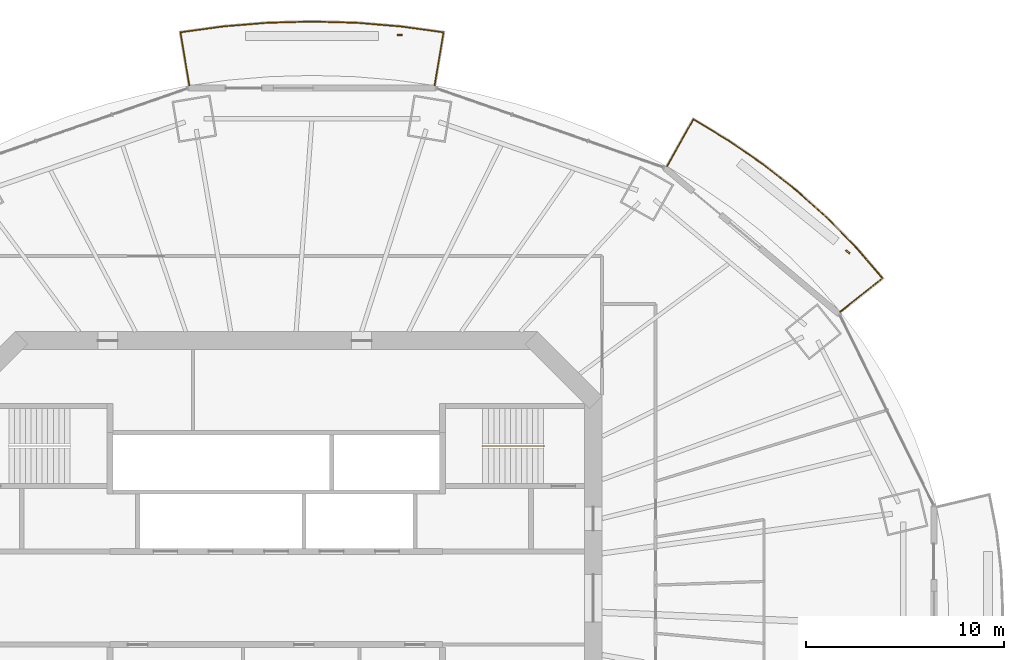
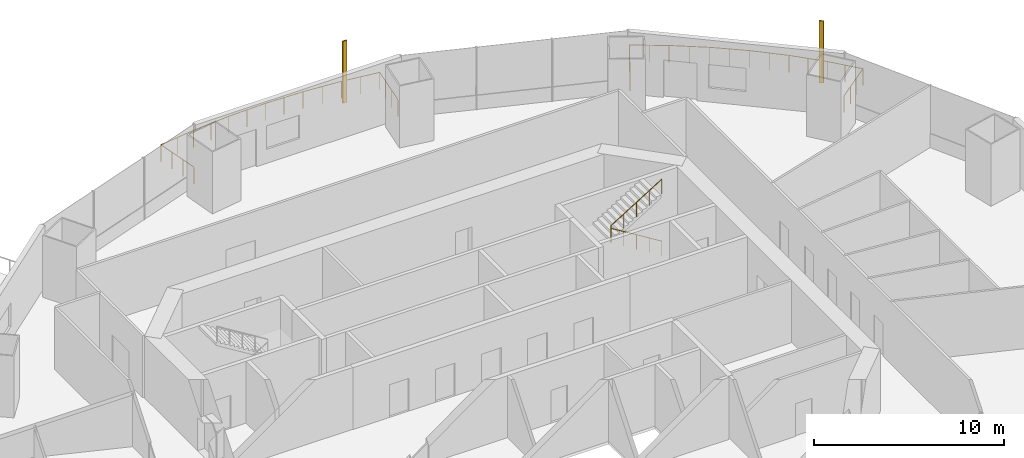
# One storey, part 18 of 20: 3 railings, 2 shading devices.
"""IFC4 building model written with IfcOpenShell, lengths in metres."""

from ifc_helpers import new_model, si_unit, direction, frame, origin, origin_2d, place, context, subcontext, project, spatial, rectangle, circle, extrude, material, material_profile, profile_set, type_object, element, save


model = new_model("IFC4")

# Units and contexts
model_context = context("Model", 3, precision=1e-05, world=origin(), true_north=direction((0.0, 1.0)))
body_context = subcontext(model_context, "Body", "Model", "MODEL_VIEW")
ifc_project = project(units=[si_unit("LENGTHUNIT", "METRE"), si_unit("AREAUNIT", "SQUARE_METRE"), si_unit("VOLUMEUNIT", "CUBIC_METRE"), si_unit("PLANEANGLEUNIT", "RADIAN"), si_unit("MASSUNIT", "GRAM", prefix="KILO")], contexts=[model_context])

# Site, building, storey
site_placement = place(None, origin())
site = spatial("IfcSite", under=ifc_project, at=site_placement, CompositionType="ELEMENT")
building_placement = place(site_placement, origin())
building = spatial("IfcBuilding", under=site, at=building_placement, Name="Marenthal Gate Tower", CompositionType="ELEMENT")
storey_placement = place(building_placement, frame((0.0, 0.0, 185.949951171875)))
storey = spatial("IfcBuildingStorey", under=building, at=storey_placement, Name="L40", CompositionType="ELEMENT", Elevation=185.949951171875)

# Railings
ifc_material_1 = material(Name="Stainless steel", Category="steel")
railing_type_1 = type_object("IfcRailingType", Name="Balcony guard 1100", PredefinedType="GUARDRAIL", material=ifc_material_1)
railing_1_placement = place(storey_placement, frame((19.722900390625, 21.794677734375, 0.0)))
element("IfcRailing", 1, at=railing_1_placement, inside=storey, type_object=railing_type_1, Name="Balcony guard L40 bay 2", PredefinedType="GUARDRAIL", context=body_context, shape_type="SweptSolid", body=[
    extrude(circle(Radius=0.02392578125, at=origin_2d()), frame((0.0, 0.0, 1.076171875), z_axis=(0.489547574491, 0.871852371435, -0.014717837253), x_axis=(-0.871946814813, 0.489600604715, 0.0)), (0.0, 0.0, 1.0), 2.720458984375),
    extrude(circle(Radius=0.02392578125, at=origin_2d()), frame((1.331787109375, 2.371826171875, 1.0361328125), z_axis=(0.856237767515, -0.516581925236, 0.0), x_axis=(0.516581925236, 0.856237767515, 0.0)), (0.0, 0.0, 1.0), 2.080810546875),
    extrude(circle(Radius=0.02392578125, at=origin_2d()), frame((3.113525390625, 1.296875, 1.0361328125), z_axis=(0.823420107604, -0.567432221849, 0.0), x_axis=(0.567432221849, 0.823420107604, 0.0)), (0.0, 0.0, 1.0), 2.14404296875),
    extrude(circle(Radius=0.02392578125, at=origin_2d()), frame((4.87890625, 0.080322265625, 1.0361328125), z_axis=(0.786051281146, -0.61816129239, 0.0), x_axis=(0.61816129239, 0.786051281146, 0.0)), (0.0, 0.0, 1.0), 2.1259765625),
    extrude(circle(Radius=0.02392578125, at=origin_2d()), frame((6.550048828125, -1.23388671875, 1.0361328125), z_axis=(0.744571425907, -0.667542801416, 0.0), x_axis=(0.667542801416, 0.744571425907, 0.0)), (0.0, 0.0, 1.0), 2.107666015625),
    extrude(circle(Radius=0.02392578125, at=origin_2d()), frame((8.119384765625, -2.640869140625, 1.0361328125), z_axis=(0.69888270328, -0.715236301551, 0.0), x_axis=(0.715236301551, 0.69888270328, 0.0)), (0.0, 0.0, 1.0), 2.090087890625),
    extrude(circle(Radius=0.02392578125, at=origin_2d()), frame((9.580078125, -4.1357421875, 1.0361328125), z_axis=(0.65027659014, -0.759697542655, 0.0), x_axis=(0.759697542655, 0.65027659014, 0.0)), (0.0, 0.0, 1.0), 1.992431640625),
    extrude(circle(Radius=0.02392578125, at=origin_2d()), frame((10.875732421875, -5.6494140625, 1.0361328125), z_axis=(-0.782654389214, -0.622282483065, 0.01471795893), x_axis=(0.622349892908, -0.782739171626, 0.0)), (0.0, 0.0, 1.0), 2.720458984375),
    extrude(circle(Radius=0.02099609375, at=origin_2d()), origin(), (0.0, 0.0, 1.0), 1.052001953125),
    extrude(circle(Radius=0.02099609375, at=origin_2d()), frame((0.44384765625, 0.79052734375, -0.013427734375)), (0.0, 0.0, 1.0), 1.052001953125),
    extrude(circle(Radius=0.02099609375, at=origin_2d()), frame((0.887939453125, 1.581298828125, -0.026611328125)), (0.0, 0.0, 1.0), 1.052001953125),
    extrude(circle(Radius=0.02099609375, at=origin_2d()), frame((1.331787109375, 2.371826171875, -0.0400390625)), (0.0, 0.0, 1.0), 1.052001953125),
    extrude(circle(Radius=0.02099609375, at=origin_2d()), frame((2.22265625, 1.83447265625, -0.0400390625)), (0.0, 0.0, 1.0), 1.052001953125),
    extrude(circle(Radius=0.02099609375, at=origin_2d()), frame((3.113525390625, 1.296875, -0.0400390625)), (0.0, 0.0, 1.0), 1.052001953125),
    extrude(circle(Radius=0.02099609375, at=origin_2d()), frame((3.99609375, 0.6884765625, -0.0400390625)), (0.0, 0.0, 1.0), 1.052001953125),
    extrude(circle(Radius=0.02099609375, at=origin_2d()), frame((4.87890625, 0.080322265625, -0.0400390625)), (0.0, 0.0, 1.0), 1.052001953125),
    extrude(circle(Radius=0.02099609375, at=origin_2d()), frame((5.71435546875, -0.57666015625, -0.0400390625)), (0.0, 0.0, 1.0), 1.052001953125),
    extrude(circle(Radius=0.02099609375, at=origin_2d()), frame((6.550048828125, -1.23388671875, -0.0400390625)), (0.0, 0.0, 1.0), 1.052001953125),
    extrude(circle(Radius=0.02099609375, at=origin_2d()), frame((7.334716796875, -1.9375, -0.0400390625)), (0.0, 0.0, 1.0), 1.052001953125),
    extrude(circle(Radius=0.02099609375, at=origin_2d()), frame((8.119384765625, -2.640869140625, -0.0400390625)), (0.0, 0.0, 1.0), 1.052001953125),
    extrude(circle(Radius=0.02099609375, at=origin_2d()), frame((8.849609375, -3.38818359375, -0.0400390625)), (0.0, 0.0, 1.0), 1.052001953125),
    extrude(circle(Radius=0.02099609375, at=origin_2d()), frame((9.580078125, -4.1357421875, -0.0400390625)), (0.0, 0.0, 1.0), 1.052001953125),
    extrude(circle(Radius=0.02099609375, at=origin_2d()), frame((10.22802734375, -4.892578125, -0.0400390625)), (0.0, 0.0, 1.0), 1.052001953125),
    extrude(circle(Radius=0.02099609375, at=origin_2d()), frame((10.875732421875, -5.6494140625, -0.0400390625)), (0.0, 0.0, 1.0), 1.052001953125),
    extrude(circle(Radius=0.02099609375, at=origin_2d()), frame((10.166015625, -6.213623046875, -0.026611328125)), (0.0, 0.0, 1.0), 1.052001953125),
    extrude(circle(Radius=0.02099609375, at=origin_2d()), frame((9.456298828125, -6.778076171875, -0.013427734375)), (0.0, 0.0, 1.0), 1.052001953125),
    extrude(circle(Radius=0.02099609375, at=origin_2d()), frame((8.74658203125, -7.34228515625, 0.0)), (0.0, 0.0, 1.0), 1.052001953125),
])
railing_2_placement = place(storey_placement, frame((-4.390380859375, 25.875732421875, 0.0)))
element("IfcRailing", 2, at=railing_2_placement, inside=storey, type_object=railing_type_1, Name="Balcony guard L40 bay 4", PredefinedType="GUARDRAIL", context=body_context, shape_type="SweptSolid", body=[
    extrude(circle(Radius=0.02392578125, at=origin_2d()), frame((0.0, 0.0, 1.076171875), z_axis=(-0.164774109377, 0.986221507592, -0.014718384498), x_axis=(-0.986328347949, -0.164791959854, 0.0)), (0.0, 0.0, 1.0), 2.720458984375),
    extrude(circle(Radius=0.02392578125, at=origin_2d()), frame((-0.4482421875, 2.682861328125, 1.0361328125), z_axis=(0.990664759644, 0.136320702755, 0.0), x_axis=(-0.136320702755, 0.990664759644, 0.0)), (0.0, 0.0, 1.0), 2.165283203125),
    extrude(circle(Radius=0.02392578125, at=origin_2d()), frame((1.69677734375, 2.97802734375, 1.0361328125), z_axis=(0.996603137393, 0.082354031713, 0.0), x_axis=(-0.082354031713, 0.996603137393, 0.0)), (0.0, 0.0, 1.0), 2.25),
    extrude(circle(Radius=0.02392578125, at=origin_2d()), frame((3.939208984375, 3.163330078125, 1.0361328125), z_axis=(0.999620829683, 0.027535374768, 0.0), x_axis=(-0.027535374768, 0.999620829683, 0.0)), (0.0, 0.0, 1.0), 2.251953125),
    extrude(circle(Radius=0.02392578125, at=origin_2d()), frame((6.1904296875, 3.225341796875, 1.0361328125), z_axis=(0.999620829683, -0.027535374768, 0.0), x_axis=(0.027535374768, 0.999620829683, 0.0)), (0.0, 0.0, 1.0), 2.251953125),
    extrude(circle(Radius=0.02392578125, at=origin_2d()), frame((8.441650390625, 3.163330078125, 1.0361328125), z_axis=(0.996603137393, -0.082354031713, 0.0), x_axis=(0.082354031713, 0.996603137393, 0.0)), (0.0, 0.0, 1.0), 2.25),
    extrude(circle(Radius=0.02392578125, at=origin_2d()), frame((10.68408203125, 2.97802734375, 1.0361328125), z_axis=(0.990664759644, -0.136320702755, 0.0), x_axis=(0.136320702755, 0.990664759644, 0.0)), (0.0, 0.0, 1.0), 2.165283203125),
    extrude(circle(Radius=0.02392578125, at=origin_2d()), frame((12.8291015625, 2.682861328125, 1.0361328125), z_axis=(-0.16486141703, -0.98620691984, 0.01471816679), x_axis=(0.986313755456, -0.164879276438, 0.0)), (0.0, 0.0, 1.0), 2.720458984375),
    extrude(circle(Radius=0.02099609375, at=origin_2d()), origin(), (0.0, 0.0, 1.0), 1.052001953125),
    extrude(circle(Radius=0.02099609375, at=origin_2d()), frame((-0.1494140625, 0.894287109375, -0.013427734375)), (0.0, 0.0, 1.0), 1.052001953125),
    extrude(circle(Radius=0.02099609375, at=origin_2d()), frame((-0.298828125, 1.78857421875, -0.026611328125)), (0.0, 0.0, 1.0), 1.052001953125),
    extrude(circle(Radius=0.02099609375, at=origin_2d()), frame((-0.4482421875, 2.682861328125, -0.0400390625)), (0.0, 0.0, 1.0), 1.052001953125),
    extrude(circle(Radius=0.02099609375, at=origin_2d()), frame((0.624267578125, 2.83056640625, -0.0400390625)), (0.0, 0.0, 1.0), 1.052001953125),
    extrude(circle(Radius=0.02099609375, at=origin_2d()), frame((1.69677734375, 2.97802734375, -0.0400390625)), (0.0, 0.0, 1.0), 1.052001953125),
    extrude(circle(Radius=0.02099609375, at=origin_2d()), frame((2.81787109375, 3.07080078125, -0.0400390625)), (0.0, 0.0, 1.0), 1.052001953125),
    extrude(circle(Radius=0.02099609375, at=origin_2d()), frame((3.939208984375, 3.163330078125, -0.0400390625)), (0.0, 0.0, 1.0), 1.052001953125),
    extrude(circle(Radius=0.02099609375, at=origin_2d()), frame((5.06494140625, 3.1943359375, -0.0400390625)), (0.0, 0.0, 1.0), 1.052001953125),
    extrude(circle(Radius=0.02099609375, at=origin_2d()), frame((6.1904296875, 3.225341796875, -0.0400390625)), (0.0, 0.0, 1.0), 1.052001953125),
    extrude(circle(Radius=0.02099609375, at=origin_2d()), frame((7.31591796875, 3.1943359375, -0.0400390625)), (0.0, 0.0, 1.0), 1.052001953125),
    extrude(circle(Radius=0.02099609375, at=origin_2d()), frame((8.441650390625, 3.163330078125, -0.0400390625)), (0.0, 0.0, 1.0), 1.052001953125),
    extrude(circle(Radius=0.02099609375, at=origin_2d()), frame((9.56298828125, 3.07080078125, -0.0400390625)), (0.0, 0.0, 1.0), 1.052001953125),
    extrude(circle(Radius=0.02099609375, at=origin_2d()), frame((10.68408203125, 2.97802734375, -0.0400390625)), (0.0, 0.0, 1.0), 1.052001953125),
    extrude(circle(Radius=0.02099609375, at=origin_2d()), frame((11.756591796875, 2.83056640625, -0.0400390625)), (0.0, 0.0, 1.0), 1.052001953125),
    extrude(circle(Radius=0.02099609375, at=origin_2d()), frame((12.8291015625, 2.682861328125, -0.0400390625)), (0.0, 0.0, 1.0), 1.052001953125),
    extrude(circle(Radius=0.02099609375, at=origin_2d()), frame((12.6796875, 1.78857421875, -0.026611328125)), (0.0, 0.0, 1.0), 1.052001953125),
    extrude(circle(Radius=0.02099609375, at=origin_2d()), frame((12.530029296875, 0.894287109375, -0.013427734375)), (0.0, 0.0, 1.0), 1.052001953125),
    extrude(circle(Radius=0.02099609375, at=origin_2d()), frame((12.380615234375, 0.0, 0.0)), (0.0, 0.0, 1.0), 1.052001953125),
])
ifc_material_2 = material(Name="Stainless steel", Category="steel")
railing_type_2 = type_object("IfcRailingType", Name="Stair handrail", PredefinedType="HANDRAIL", material=ifc_material_2)
railing_3_placement = place(storey_placement, frame((13.5, 7.675048828125, 0.1728515625)))
element("IfcRailing", 3, at=railing_3_placement, inside=storey, type_object=railing_type_2, Name="Handrail ST3", PredefinedType="HANDRAIL", context=body_context, shape_type="SweptSolid", body=[
    extrude(circle(Radius=0.0224609375, at=origin_2d()), frame((0.0, 0.0, 0.927490234375), z_axis=(-0.850835241893, 0.0, 0.525432575268), x_axis=(0.0, -1.0, 0.0)), (0.0, 0.0, 1.0), 3.6201171875),
    extrude(circle(Radius=0.0224609375, at=origin_2d()), frame((-3.080078125, 0.0, 2.82958984375), z_axis=(0.0, 0.0, 1.0), x_axis=(1.0, 0.0, 0.0)), (0.0, 0.0, 1.0), 0.173095703125),
    extrude(circle(Radius=0.0224609375, at=origin_2d()), frame((-3.080078125, 0.0, 3.002685546875), z_axis=(0.850835241893, 0.0, 0.525432575268), x_axis=(0.0, 1.0, 0.0)), (0.0, 0.0, 1.0), 3.6201171875),
    extrude(circle(Radius=0.02001953125, at=origin_2d()), origin(), (0.0, 0.0, 1.0), 0.905029296875),
    extrude(circle(Radius=0.02001953125, at=origin_2d()), frame((-0.77001953125, 0.0, 0.4755859375)), (0.0, 0.0, 1.0), 0.905029296875),
    extrude(circle(Radius=0.02001953125, at=origin_2d()), frame((-1.5400390625, 0.0, 0.951171875)), (0.0, 0.0, 1.0), 0.905029296875),
    extrude(circle(Radius=0.02001953125, at=origin_2d()), frame((-2.31005859375, 0.0, 1.426513671875)), (0.0, 0.0, 1.0), 0.905029296875),
    extrude(circle(Radius=0.02001953125, at=origin_2d()), frame((-3.080078125, 0.0, 1.902099609375)), (0.0, 0.0, 1.0), 0.905029296875),
    extrude(circle(Radius=0.02001953125, at=origin_2d()), frame((-3.080078125, 0.0, 2.0751953125)), (0.0, 0.0, 1.0), 0.905029296875),
    extrude(circle(Radius=0.02001953125, at=origin_2d()), frame((-2.31005859375, 0.0, 2.55078125)), (0.0, 0.0, 1.0), 0.905029296875),
    extrude(circle(Radius=0.02001953125, at=origin_2d()), frame((-1.5400390625, 0.0, 3.0263671875)), (0.0, 0.0, 1.0), 0.905029296875),
    extrude(circle(Radius=0.02001953125, at=origin_2d()), frame((-0.77001953125, 0.0, 3.501708984375)), (0.0, 0.0, 1.0), 0.905029296875),
    extrude(circle(Radius=0.02001953125, at=origin_2d()), frame((0.0, 0.0, 3.977294921875)), (0.0, 0.0, 1.0), 0.905029296875),
])

# Shading devices
ifc_material_3 = material(Name="Terracotta", Category="masonry")
ifc_material_profile = material_profile(ifc_material_3, rectangle(XDim=0.25, YDim=0.080078125, at=origin_2d()), Name="Terracotta baguette 250x80")
ifc_profile_set = profile_set([ifc_material_profile], Name="Terracotta")
shading_device_type = type_object("IfcShadingDeviceType", Name="Terracotta BAGUETTE SCREEN 250x80", PredefinedType="USERDEFINED", material=ifc_profile_set)
for number, where, z_axis, x_axis, name in (
    (4, (28.843505859375, 17.47509765625, -0.0400390625), (0.0, 0.0, 1.0), (-0.765779593212, 0.64310311352, 0.0), "Terracotta BAGUETTE L40 bay 2L"),
    (5, (6.23046875, 28.425048828125, -0.0400390625), (0.0, 0.0, 1.0), (-1.0, 0.0, 0.0), "Terracotta BAGUETTE L40 bay 4L"),
):
    element("IfcShadingDevice", number, at=place(storey_placement, frame(where, z_axis=z_axis, x_axis=x_axis)), inside=storey, type_object=shading_device_type, Name=name, ObjectType="BAGUETTE SCREEN", PredefinedType="USERDEFINED", context=body_context, shape_type="SweptSolid", body=[
        extrude(rectangle(XDim=0.25, YDim=0.080078125, at=origin_2d()), origin(), (0.0, 0.0, 1.0), 3.969970703125),
    ])

save(model, "model.ifc")
